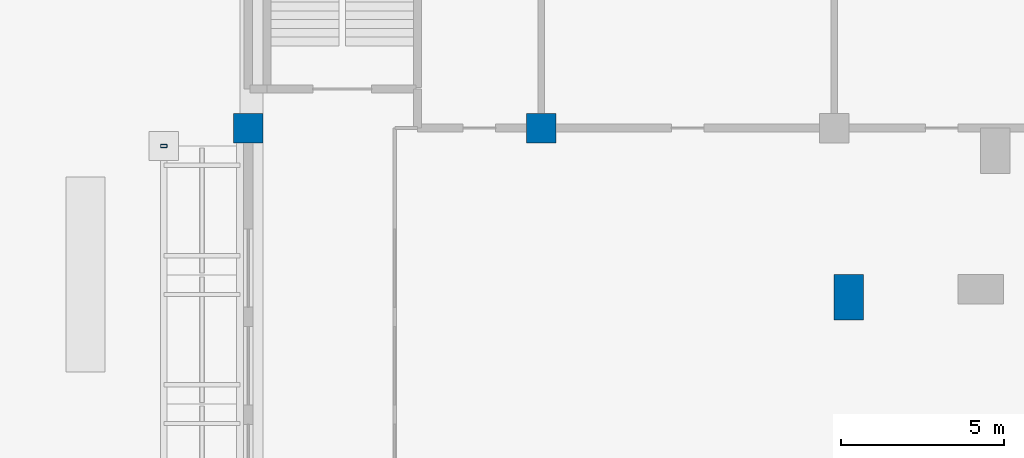
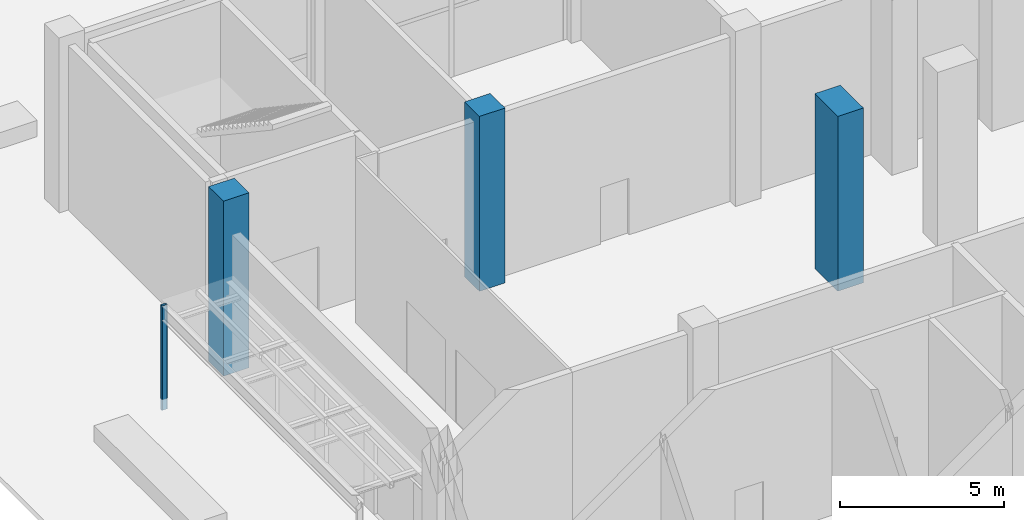
# One storey, part 8 of 39: 4 columns.
"""IFC4 building model written with IfcOpenShell, lengths in metres."""

from ifc_helpers import new_model, si_unit, direction, frame, origin, origin_2d, place, context, subcontext, project, spatial, rectangle, hollow_rectangle, extrude, material, material_profile, profile_set, type_object, element, save


model = new_model("IFC4")

# Units and contexts
model_context = context("Model", 3, precision=1e-05, world=origin(), true_north=direction((0.0, 1.0)))
body_context = subcontext(model_context, "Body", "Model", "MODEL_VIEW")
ifc_project = project(units=[si_unit("LENGTHUNIT", "METRE"), si_unit("AREAUNIT", "SQUARE_METRE"), si_unit("VOLUMEUNIT", "CUBIC_METRE"), si_unit("PLANEANGLEUNIT", "RADIAN"), si_unit("MASSUNIT", "GRAM", prefix="KILO")], contexts=[model_context])

# Site, building, storey
site_placement = place(None, origin())
site = spatial("IfcSite", under=ifc_project, at=site_placement, CompositionType="ELEMENT")
building_placement = place(site_placement, origin())
building = spatial("IfcBuilding", under=site, at=building_placement, Name="Brigalow Station Residences", CompositionType="ELEMENT")
storey_placement = place(building_placement, origin())
storey = spatial("IfcBuildingStorey", under=building, at=storey_placement, Name="L00", CompositionType="ELEMENT", Elevation=0.0)

# Columns
ifc_material_1 = material(Name="Steel Grade C450L0 to AS/NZS 1163", Category="steel")
ifc_material_profile_1 = material_profile(ifc_material_1, hollow_rectangle(XDim=0.10009765625, YDim=0.199951171875, WallThickness=0.009033203125, InnerFilletRadius=0.013427734375, OuterFilletRadius=0.0224609375, at=origin_2d()), Name="200x100x9.0RHS")
ifc_profile_set_1 = profile_set([ifc_material_profile_1], Name="Steel Grade C450L0 to AS/NZS 1163")
column_type_1 = type_object("IfcColumnType", Name="CANOPY POST 200x100x9.0RHS", PredefinedType="COLUMN", material=ifc_profile_set_1)
column_1_placement = place(storey_placement, frame((-20.595458984375, 47.949951171875, -0.39990234375), z_axis=(0.0, 0.0, 1.0), x_axis=(0.0, 1.0, 0.0)))
element("IfcColumn", 1, at=column_1_placement, inside=storey, type_object=column_type_1, Name="L00/canopy-post/W-entry-2", PredefinedType="COLUMN", context=body_context, shape_type="SweptSolid", body=[
    extrude(hollow_rectangle(XDim=0.10009765625, YDim=0.199951171875, WallThickness=0.009033203125, InnerFilletRadius=0.013427734375, OuterFilletRadius=0.0224609375, at=origin_2d()), origin(), (0.0, 0.0, 1.0), 3.8779296875),
])
ifc_material_2 = material(Name="Concrete C50", Category="concrete")
ifc_material_profile_2 = material_profile(ifc_material_2, rectangle(XDim=0.89990234375, YDim=0.89990234375, at=origin_2d()), Name="RC900x900")
ifc_profile_set_2 = profile_set([ifc_material_profile_2], Name="Concrete C50")
column_type_2 = type_object("IfcColumnType", Name="COLUMN 900x900 C50", PredefinedType="COLUMN", material=ifc_profile_set_2)
for number, where, z_axis, x_axis, name in (
    (2, (-18.0, 48.5, 0.0), (0.0, 0.0, 1.0), (1.0, 0.0, 0.0), "COLUMN EW2 L00"),
    (3, (-9.0, 48.5, 0.0), (0.0, 0.0, 1.0), (1.0, 0.0, 0.0), "COLUMN EW1 L00"),
):
    element("IfcColumn", number, at=place(storey_placement, frame(where, z_axis=z_axis, x_axis=x_axis)), inside=storey, type_object=column_type_2, Name=name, PredefinedType="COLUMN", context=body_context, shape_type="SweptSolid", body=[
        extrude(rectangle(XDim=0.89990234375, YDim=0.89990234375, at=origin_2d()), origin(), (0.0, 0.0, 1.0), 6.5),
    ])
ifc_material_3 = material(Name="Concrete C80", Category="concrete")
ifc_material_profile_3 = material_profile(ifc_material_3, rectangle(XDim=1.39990234375, YDim=0.89990234375, at=origin_2d()), Name="RC1400x900")
ifc_profile_set_3 = profile_set([ifc_material_profile_3], Name="Concrete C80")
column_type_3 = type_object("IfcColumnType", Name="PIER 1400x900 C80", PredefinedType="USERDEFINED", material=ifc_profile_set_3)
column_2_placement = place(storey_placement, frame((0.449951171875, 43.300048828125, 0.0), z_axis=(0.0, 0.0, 1.0), x_axis=(0.0, -1.0, 0.0)))
element("IfcColumn", 4, at=column_2_placement, inside=storey, type_object=column_type_3, Name="PIER W2-1 L00", ObjectType="PIER", PredefinedType="USERDEFINED", context=body_context, shape_type="SweptSolid", body=[
    extrude(rectangle(XDim=1.39990234375, YDim=0.89990234375, at=origin_2d()), origin(), (0.0, 0.0, 1.0), 6.5),
])

save(model, "model.ifc")
